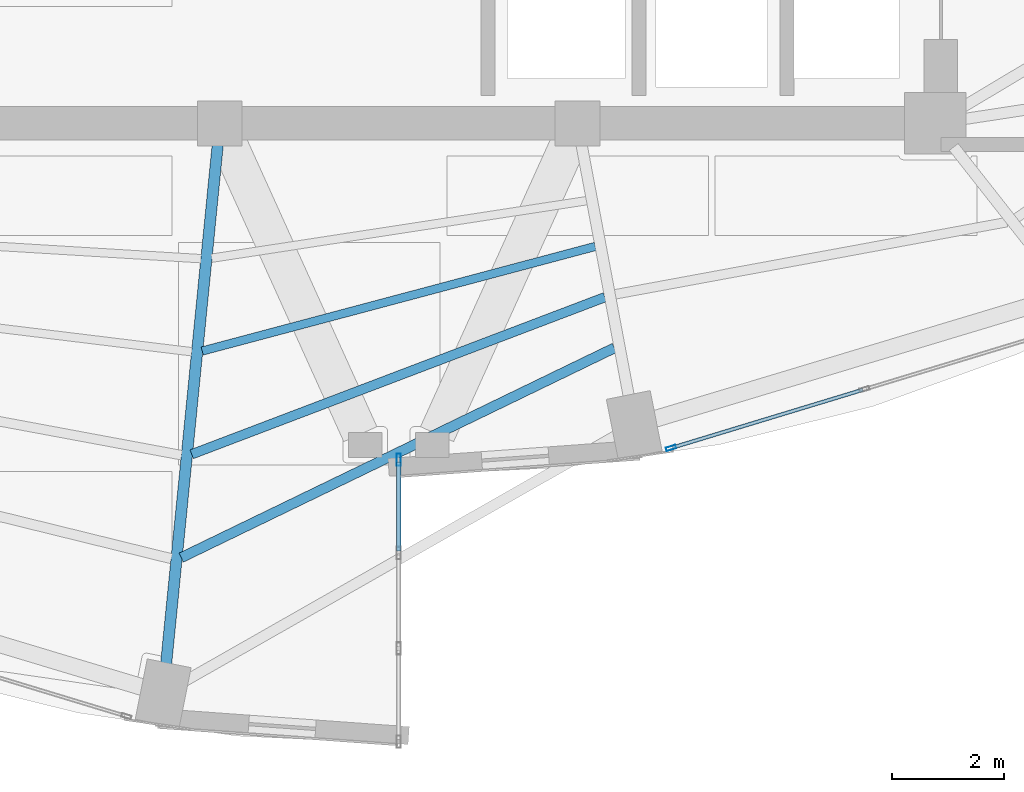
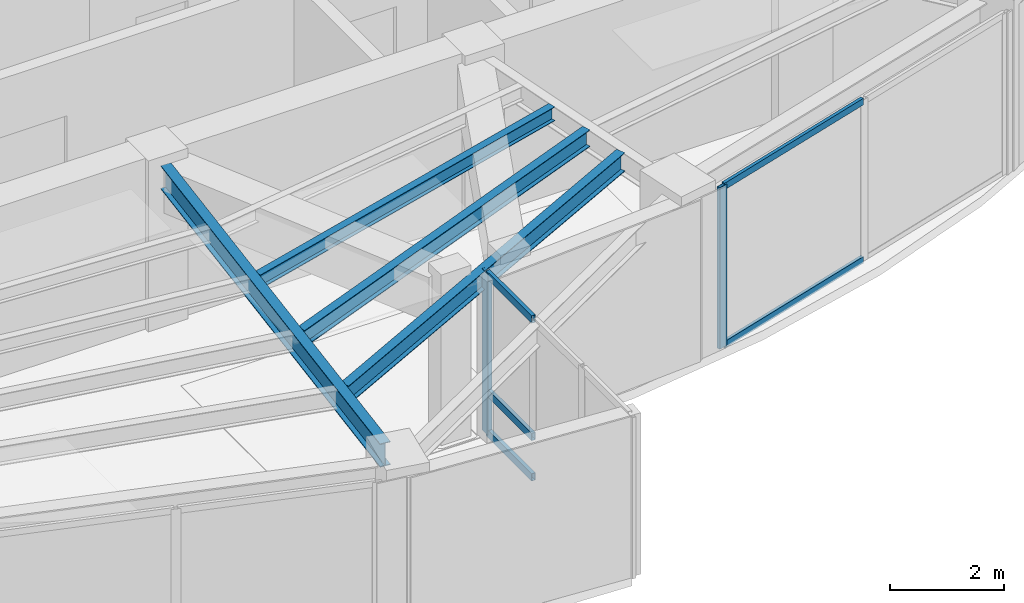
# One storey, part 6 of 23: 7 members, 4 beams, 2 elements without a shape of their own.
"""IFC4 building model written with IfcOpenShell, lengths in metres."""

import ifcopenshell
import ifcopenshell.guid

model = None  # the IFC model being written
_history = None  # IfcOwnerHistory: only IFC2X3 demands one
_inside = {}  # id of a spatial element -> (the spatial element, [elements in it])
_under = {}  # id of a project, library or spatial element -> (it, [spatial elements below it])
_declared = {}  # id of a project -> (the project, [libraries it declares])
_typed = {}  # id of a type object -> (the type object, [elements of that type])
_made_of = {}  # id of a material, layer set ... -> (it, [elements and type objects made of it])


def new_model(schema):
    """Start an empty IFC model of exactly this schema.

    Asked for "IFC4X3", IfcOpenShell would pick the latest addendum, in which some entities
    have other attributes; the version numbers below select the first issue.
    IFC2X3 requires an IfcOwnerHistory on every rooted entity: one is made here for all.
    """
    global model, _history
    if schema == "IFC4X3":
        model = ifcopenshell.file(schema_version=(4, 3, 0, 0))
    else:
        model = ifcopenshell.file(schema=schema)
    _inside.clear()
    _under.clear()
    _declared.clear()
    _typed.clear()
    _made_of.clear()
    _history = None
    if model.schema == "IFC2X3":
        org = make("IfcOrganization", Name="unknown")
        user = make(
            "IfcPersonAndOrganization",
            ThePerson=make("IfcPerson", FamilyName="unknown"),
            TheOrganization=org,
        )
        app = make(
            "IfcApplication",
            ApplicationDeveloper=org,
            Version="unknown",
            ApplicationFullName="unknown",
            ApplicationIdentifier="unknown",
        )
        _history = make(
            "IfcOwnerHistory",
            OwningUser=user,
            OwningApplication=app,
            ChangeAction="ADDED",
            CreationDate=0,
        )
    return model


def make(cls, **values):
    """One entity of the class cls with the attributes given. An attribute that is None is left unset."""
    return model.create_entity(
        cls, **{name: value for name, value in values.items() if value is not None}
    )


def rooted(cls, **values):
    """An entity with a GlobalId (a new one), such as an element, a storey or a relation."""
    return make(cls, GlobalId=ifcopenshell.guid.new(), OwnerHistory=_history, **values)


def si_unit(unit_type, name, prefix=None):
    """IfcSIUnit, for example si_unit("LENGTHUNIT", "METRE", prefix="MILLI")."""
    return make("IfcSIUnit", UnitType=unit_type, Prefix=prefix, Name=name)


def assignment(units):
    """IfcUnitAssignment: the units of a project."""
    return None if units is None else make("IfcUnitAssignment", Units=units)


def point(xyz):
    """IfcCartesianPoint."""
    return None if xyz is None else make("IfcCartesianPoint", Coordinates=xyz)


def direction(xyz):
    """IfcDirection."""
    return None if xyz is None else make("IfcDirection", DirectionRatios=xyz)


def frame(location, z_axis=None, x_axis=None):
    """IfcAxis2Placement3D, a coordinate frame: its origin and axes. An axis left out is left unset."""
    return make(
        "IfcAxis2Placement3D",
        Location=point(location),
        Axis=direction(z_axis),
        RefDirection=direction(x_axis),
    )


def frame_2d(location, x_axis=None):
    """IfcAxis2Placement2D, a coordinate frame in the plane: its origin and x axis."""
    return make(
        "IfcAxis2Placement2D", Location=point(location), RefDirection=direction(x_axis)
    )


def origin():
    """The frame at (0, 0, 0) with its axes left unset."""
    return frame((0.0, 0.0, 0.0))


def origin_2d():
    """The frame at (0, 0) in the plane with its x axis left unset."""
    return frame_2d((0.0, 0.0))


def place(relative_to, where):
    """IfcLocalPlacement: puts the frame where relative to a parent placement (None: the world)."""
    return make(
        "IfcLocalPlacement", PlacementRelTo=relative_to, RelativePlacement=where
    )


def context(
    kind, dimensions, precision=None, world=None, true_north=None, identifier=None
):
    """IfcGeometricRepresentationContext, for example the 3D "Model" context."""
    return make(
        "IfcGeometricRepresentationContext",
        ContextIdentifier=identifier,
        ContextType=kind,
        CoordinateSpaceDimension=dimensions,
        Precision=precision,
        WorldCoordinateSystem=world,
        TrueNorth=true_north,
    )


def subcontext(parent, identifier, kind, view, scale=None):
    """IfcGeometricRepresentationSubContext, for example "Body" below "Model"."""
    return make(
        "IfcGeometricRepresentationSubContext",
        ContextIdentifier=identifier,
        ContextType=kind,
        ParentContext=parent,
        TargetScale=scale,
        TargetView=view,
    )


def project(units=None, contexts=None):
    """IfcProject with its units and contexts."""
    return rooted(
        "IfcProject",
        Name="project",
        RepresentationContexts=contexts,
        UnitsInContext=assignment(units),
    )


def spatial(cls, under=None, at=None, **own):
    """A site, building, storey or space (cls), placed at a placement, below another one or the project."""
    s = rooted(cls, ObjectPlacement=at, **own)
    if under is not None:
        _under.setdefault(under.id(), (under, []))[1].append(s)
    return s


def profile(cls, at=None, kind="AREA", **sizes):
    """A parametric profile (cls). Its sizes go by their IFC names, for example OverallWidth=200.0."""
    return make(cls, ProfileType=kind, Position=at, **sizes)


def hollow_rectangle(**sizes):
    """IfcRectangleHollowProfileDef."""
    return profile("IfcRectangleHollowProfileDef", **sizes)


def i_section(**sizes):
    """IfcIShapeProfileDef."""
    return profile("IfcIShapeProfileDef", **sizes)


def extrude(swept, where, along, depth):
    """IfcExtrudedAreaSolid: the profile swept, set in the frame where, extruded along a direction by depth."""
    return make(
        "IfcExtrudedAreaSolid",
        SweptArea=swept,
        Position=where,
        ExtrudedDirection=direction(along),
        Depth=depth,
    )


def shape(context_of_items, identifier, shape_type, items):
    """IfcShapeRepresentation: the items that make up one representation, for example the "Body"."""
    return make(
        "IfcShapeRepresentation",
        ContextOfItems=context_of_items,
        RepresentationIdentifier=identifier,
        RepresentationType=shape_type,
        Items=items,
    )


def material(Name=None, Category=None):
    """IfcMaterial."""
    return make("IfcMaterial", Name=Name, Category=Category)


def layer(
    of_material, thickness, ventilated=None, Name=None, Category=None, Priority=None
):
    """IfcMaterialLayer: one layer of a wall or slab, of a material (None: an air gap)."""
    return make(
        "IfcMaterialLayer",
        Material=of_material,
        LayerThickness=thickness,
        IsVentilated=ventilated,
        Name=Name,
        Category=Category,
        Priority=Priority,
    )


def layer_set(layers, Name=None):
    """IfcMaterialLayerSet."""
    return make("IfcMaterialLayerSet", MaterialLayers=layers, LayerSetName=Name)


def material_profile(
    of_material, cross_section, Name=None, Category=None, Priority=None
):
    """IfcMaterialProfile: a cross section and its material."""
    return make(
        "IfcMaterialProfile",
        Name=Name,
        Material=of_material,
        Profile=cross_section,
        Priority=Priority,
        Category=Category,
    )


def profile_set(profiles, Name=None, composite=None):
    """IfcMaterialProfileSet."""
    return make(
        "IfcMaterialProfileSet",
        Name=Name,
        MaterialProfiles=profiles,
        CompositeProfile=composite,
    )


def made_of(thing, what):
    """Note that an element or type object is made of a material, layer set ...; save() writes the relation."""
    if what is not None:
        _made_of.setdefault(what.id(), (what, []))[1].append(thing)
    return thing


def type_object(cls, material=None, **own):
    """A type object (cls), such as IfcWallType, which elements share."""
    return made_of(rooted(cls, **own), material)


def element(
    cls,
    number,
    at=None,
    inside=None,
    cuts=None,
    type_object=None,
    material=None,
    context=None,
    identifier="Body",
    shape_type=None,
    held_by="IfcProductDefinitionShape",
    body=None,
    shapes=None,
    **own,
):
    """One element of the class cls, such as IfcWall. Its Tag is "e" and its number.

    at: its placement. inside: the storey or other place that contains it. cuts: it is an
    opening in that element (IfcRelVoidsElement). A single representation is given by context,
    identifier, shape_type and body (its items); several are given by shapes. held_by: the class
    of the entity that holds the representations. save() writes the other relations.
    """
    e = rooted(cls, Tag="e%d" % number, ObjectPlacement=at, **own)
    if body is not None:
        shapes = [shape(context, identifier, shape_type, body)]
    if shapes is not None:
        e.Representation = make(held_by, Representations=shapes)
    if inside is not None:
        _inside.setdefault(inside.id(), (inside, []))[1].append(e)
    if cuts is not None:
        rooted(
            "IfcRelVoidsElement", RelatingBuildingElement=cuts, RelatedOpeningElement=e
        )
    if type_object is not None:
        _typed.setdefault(type_object.id(), (type_object, []))[1].append(e)
    return made_of(e, material)


def aggregate(whole, parts):
    """IfcRelAggregates: a whole, such as a stair, and the parts it consists of."""
    return rooted("IfcRelAggregates", RelatingObject=whole, RelatedObjects=parts)


def save(model, path):
    """Write the relations noted so far, then the file.

    IfcRelAggregates (storeys below a building ...), IfcRelContainedInSpatialStructure (elements
    in a storey), IfcRelDefinesByType, IfcRelAssociatesMaterial and IfcRelDeclares: one each for
    every whole, place, type object, material and project.
    """
    for whole, parts in _under.values():
        aggregate(whole, parts)
    for where, things in _inside.values():
        rooted(
            "IfcRelContainedInSpatialStructure",
            RelatedElements=things,
            RelatingStructure=where,
        )
    for kind, things in _typed.values():
        rooted("IfcRelDefinesByType", RelatedObjects=things, RelatingType=kind)
    for what, things in _made_of.values():
        rooted("IfcRelAssociatesMaterial", RelatedObjects=things, RelatingMaterial=what)
    for by, libraries in _declared.values():
        rooted("IfcRelDeclares", RelatingContext=by, RelatedDefinitions=libraries)
    model.write(path)


model = new_model("IFC4")

# Units and contexts
model_context = context("Model", 3, precision=1e-05, world=origin(), true_north=direction((0.0, 1.0)))
body_context = subcontext(model_context, "Body", "Model", "MODEL_VIEW")
ifc_project = project(units=[si_unit("LENGTHUNIT", "METRE"), si_unit("AREAUNIT", "SQUARE_METRE"), si_unit("VOLUMEUNIT", "CUBIC_METRE"), si_unit("PLANEANGLEUNIT", "RADIAN"), si_unit("MASSUNIT", "GRAM", prefix="KILO")], contexts=[model_context])

# Site, building, storey
site_placement = place(None, origin())
site = spatial("IfcSite", under=ifc_project, at=site_placement, CompositionType="ELEMENT")
building_placement = place(site_placement, origin())
building = spatial("IfcBuilding", under=site, at=building_placement, Name="Lazwardi Medical Tower", CompositionType="ELEMENT")
storey_placement = place(building_placement, frame((0.0, 0.0, 205.77587890625)))
storey = spatial("IfcBuildingStorey", under=building, at=storey_placement, Name="L53", CompositionType="ELEMENT", Elevation=205.77587890625)

# Beams
ifc_material_1 = material(Name="Steel S355", Category="steel")
ifc_material_profile_1 = material_profile(ifc_material_1, i_section(OverallWidth=0.199951171875, OverallDepth=0.5, WebThickness=0.01025390625, FlangeThickness=0.01611328125, at=origin_2d()), Name="IPE 500")
ifc_profile_set_1 = profile_set([ifc_material_profile_1], Name="Steel S355")
beam_type_1 = type_object("IfcBeamType", Name="BM-RG-W3", PredefinedType="BEAM", material=ifc_profile_set_1)
beam_1_placement = place(storey_placement, frame((31.8388671875, 10.734130859375, 3.1982421875), z_axis=(0.098954361922, 0.995091972763, 0.0), x_axis=(-0.995091972763, 0.098954361922, 0.0)))
element("IfcBeam", 1, at=beam_1_placement, inside=storey, type_object=beam_type_1, Name="Radial girder RG-04 R16 L53", PredefinedType="BEAM", context=body_context, shape_type="SweptSolid", body=[
    extrude(i_section(OverallWidth=0.199951171875, OverallDepth=0.5, WebThickness=0.01025390625, FlangeThickness=0.01611328125, at=origin_2d()), origin(), (0.0, 0.0, 1.0), 9.32861328125),
])
ifc_material_profile_2 = material_profile(ifc_material_1, i_section(OverallWidth=0.179931640625, OverallDepth=0.39990234375, WebThickness=0.008544921875, FlangeThickness=0.013427734375, at=origin_2d()), Name="IPE 400")
ifc_profile_set_2 = profile_set([ifc_material_profile_2], Name="Steel S355")
beam_type_2 = type_object("IfcBeamType", Name="BM-SJ-01", PredefinedType="JOIST", material=ifc_profile_set_2)
beam_2_placement = place(storey_placement, frame((32.10888671875, 12.632080078125, 3.248046875), z_axis=(0.900068885459, 0.435747635024, 0.0), x_axis=(-0.435747635024, 0.900068885459, 0.0)))
element("IfcBeam", 2, at=beam_2_placement, inside=storey, type_object=beam_type_2, Name="Secondary joist SJ-01 R1 B16 L53", PredefinedType="JOIST", context=body_context, shape_type="SweptSolid", body=[
    extrude(i_section(OverallWidth=0.179931640625, OverallDepth=0.39990234375, WebThickness=0.008544921875, FlangeThickness=0.013427734375, at=origin_2d()), origin(), (0.0, 0.0, 1.0), 8.612548828125),
])
ifc_material_profile_3 = material_profile(ifc_material_1, i_section(OverallWidth=0.169921875, OverallDepth=0.360107421875, WebThickness=0.008056640625, FlangeThickness=0.0126953125, at=origin_2d()), Name="IPE 360")
ifc_profile_set_3 = profile_set([ifc_material_profile_3], Name="Steel S355")
beam_type_3 = type_object("IfcBeamType", Name="BM-SJ-02", PredefinedType="JOIST", material=ifc_profile_set_3)
beam_3_placement = place(storey_placement, frame((32.296875, 14.48095703125, 3.26806640625), z_axis=(0.934714470268, 0.355399576633, 0.0), x_axis=(-0.355399576633, 0.934714470268, 0.0)))
element("IfcBeam", 3, at=beam_3_placement, inside=storey, type_object=beam_type_3, Name="Secondary joist SJ-02 R2 B16 L53", PredefinedType="JOIST", context=body_context, shape_type="SweptSolid", body=[
    extrude(i_section(OverallWidth=0.169921875, OverallDepth=0.360107421875, WebThickness=0.008056640625, FlangeThickness=0.0126953125, at=origin_2d()), origin(), (0.0, 0.0, 1.0), 7.908203125),
])
ifc_material_profile_4 = material_profile(ifc_material_1, i_section(OverallWidth=0.14990234375, OverallDepth=0.300048828125, WebThickness=0.007080078125, FlangeThickness=0.0107421875, at=origin_2d()), Name="IPE 300")
ifc_profile_set_4 = profile_set([ifc_material_profile_4], Name="Steel S355")
beam_type_4 = type_object("IfcBeamType", Name="BM-SJ-03", PredefinedType="JOIST", material=ifc_profile_set_4)
beam_4_placement = place(storey_placement, frame((32.484619140625, 16.328125, 3.298095703125), z_axis=(0.966369007826, 0.257159368316, 0.0), x_axis=(-0.257159368316, 0.966369007826, 0.0)))
element("IfcBeam", 4, at=beam_4_placement, inside=storey, type_object=beam_type_4, Name="Secondary joist SJ-03 R3 B16 L53", PredefinedType="JOIST", context=body_context, shape_type="SweptSolid", body=[
    extrude(i_section(OverallWidth=0.14990234375, OverallDepth=0.300048828125, WebThickness=0.007080078125, FlangeThickness=0.0107421875, at=origin_2d()), origin(), (0.0, 0.0, 1.0), 7.27685546875),
])

# Curtain wall, member
ifc_material_2 = material(Name="Anodised bronze aluminium and solar control glazing", Category="aluminium")
ifc_layer_1 = layer(ifc_material_2, 0.2099609375)
ifc_layer_set_1 = layer_set([ifc_layer_1], Name="Anodised bronze aluminium and solar control glazing")
curtain_wall_type_1 = type_object("IfcCurtainWallType", Name="CW-SYS-06", PredefinedType="NOTDEFINED", material=ifc_layer_set_1)
curtain_wall_1_placement = place(storey_placement, origin())
curtain_wall_1 = element("IfcCurtainWall", 5, at=curtain_wall_1_placement, inside=storey, type_object=curtain_wall_type_1, Name="L53 Unitised bronze curtain wall CW-06", PredefinedType="NOTDEFINED")
ifc_material_3 = material(Name="Anodised bronze aluminium", Category="aluminium")
ifc_material_profile_5 = material_profile(ifc_material_3, hollow_rectangle(XDim=0.074951171875, YDim=0.219970703125, WallThickness=0.00390625, at=origin_2d()), Name="ALU-MULLION 220x75x4")
ifc_profile_set_5 = profile_set([ifc_material_profile_5], Name="Anodised bronze aluminium")
member_type_1 = type_object("IfcMemberType", Name="CW-MUL-01", PredefinedType="MULLION", material=ifc_profile_set_5)
member_1_placement = place(storey_placement, frame((36.0, 14.382568359375, 0.0), z_axis=(0.0, 0.0, 1.0), x_axis=(-1.0, 0.0, 0.0)))
member_1 = element("IfcMember", 6, at=member_1_placement, type_object=member_type_1, Name="CW-06 mullion 4", PredefinedType="MULLION", context=body_context, shape_type="SweptSolid", body=[
    extrude(hollow_rectangle(XDim=0.074951171875, YDim=0.219970703125, WallThickness=0.00390625, at=origin_2d()), origin(), (0.0, 0.0, 1.0), 3.4482421875),
])

ifc_layer_2 = layer(ifc_material_2, 0.18994140625)
ifc_layer_set_2 = layer_set([ifc_layer_2], Name="Anodised bronze aluminium and solar control glazing")
curtain_wall_type_2 = type_object("IfcCurtainWallType", Name="CW-SYS-04", PredefinedType="NOTDEFINED", material=ifc_layer_set_2)
curtain_wall_2_placement = place(storey_placement, origin())
curtain_wall_2 = element("IfcCurtainWall", 7, at=curtain_wall_2_placement, inside=storey, type_object=curtain_wall_type_2, Name="L53 Unitised bronze curtain wall CW-04", PredefinedType="NOTDEFINED")
ifc_material_profile_6 = material_profile(ifc_material_3, hollow_rectangle(XDim=0.06494140625, YDim=0.179931640625, WallThickness=0.00390625, at=origin_2d()), Name="ALU-MULLION 180x65x4")
ifc_profile_set_6 = profile_set([ifc_material_profile_6], Name="Anodised bronze aluminium")
member_type_2 = type_object("IfcMemberType", Name="CW-MUL-03", PredefinedType="MULLION", material=ifc_profile_set_6)
member_2_placement = place(storey_placement, frame((40.873046875, 14.593017578125, 0.0), z_axis=(0.0, 0.0, 1.0), x_axis=(-0.290581889515, 0.956850126972, 0.0)))
member_2 = element("IfcMember", 8, at=member_2_placement, type_object=member_type_2, Name="CW-04 mullion 1", PredefinedType="MULLION", context=body_context, shape_type="SweptSolid", body=[
    extrude(hollow_rectangle(XDim=0.06494140625, YDim=0.179931640625, WallThickness=0.00390625, at=origin_2d()), origin(), (0.0, 0.0, 1.0), 3.4482421875),
])

# Member
ifc_material_profile_7 = material_profile(ifc_material_3, hollow_rectangle(XDim=0.074951171875, YDim=0.159912109375, WallThickness=0.00390625, at=origin_2d()), Name="ALU-TRANSOM 160x75x4")
ifc_profile_set_7 = profile_set([ifc_material_profile_7], Name="Anodised bronze aluminium")
member_type_3 = type_object("IfcMemberType", Name="CW-TRN-01", PredefinedType="USERDEFINED", material=ifc_profile_set_7)
member_3_placement = place(storey_placement, frame((36.0, 12.750732421875, 0.03759765625), z_axis=(0.0, 1.0, 0.0), x_axis=(-1.0, 0.0, 0.0)))
member_3 = element("IfcMember", 9, at=member_3_placement, type_object=member_type_3, Name="CW-06 transom 3.1", ObjectType="TRANSOM", PredefinedType="USERDEFINED", context=body_context, shape_type="SweptSolid", body=[
    extrude(hollow_rectangle(XDim=0.074951171875, YDim=0.159912109375, WallThickness=0.00390625, at=origin_2d()), origin(), (0.0, 0.0, 1.0), 1.59423828125),
])

member_4_placement = place(storey_placement, frame((36.0, 12.750732421875, 0.900146484375), z_axis=(0.0, 1.0, 0.0), x_axis=(-1.0, 0.0, 0.0)))
member_4 = element("IfcMember", 10, at=member_4_placement, type_object=member_type_3, Name="CW-06 transom 3.2", ObjectType="TRANSOM", PredefinedType="USERDEFINED", context=body_context, shape_type="SweptSolid", body=[
    extrude(hollow_rectangle(XDim=0.074951171875, YDim=0.159912109375, WallThickness=0.00390625, at=origin_2d()), origin(), (0.0, 0.0, 1.0), 1.59423828125),
])

member_5_placement = place(storey_placement, frame((36.0, 12.750732421875, 3.41064453125), z_axis=(0.0, 1.0, 0.0), x_axis=(-1.0, 0.0, 0.0)))
member_5 = element("IfcMember", 11, at=member_5_placement, type_object=member_type_3, Name="CW-06 transom 3.3", ObjectType="TRANSOM", PredefinedType="USERDEFINED", context=body_context, shape_type="SweptSolid", body=[
    extrude(hollow_rectangle(XDim=0.074951171875, YDim=0.159912109375, WallThickness=0.00390625, at=origin_2d()), origin(), (0.0, 0.0, 1.0), 1.59423828125),
])

aggregate(curtain_wall_1, [member_1, member_3, member_4, member_5])

ifc_material_profile_8 = material_profile(ifc_material_3, hollow_rectangle(XDim=0.06494140625, YDim=0.139892578125, WallThickness=0.00341796875, at=origin_2d()), Name="ALU-TRANSOM 140x65x3.5")
ifc_profile_set_8 = profile_set([ifc_material_profile_8], Name="Anodised bronze aluminium")
member_type_4 = type_object("IfcMemberType", Name="CW-TRN-03", PredefinedType="USERDEFINED", material=ifc_profile_set_8)
member_6_placement = place(storey_placement, frame((40.904296875, 14.602294921875, 0.03271484375), z_axis=(0.956843409009, 0.290604010015, 0.0), x_axis=(-0.290604010015, 0.956843409009, 0.0)))
member_6 = element("IfcMember", 12, at=member_6_placement, type_object=member_type_4, Name="CW-04 transom 1.1", ObjectType="TRANSOM", PredefinedType="USERDEFINED", context=body_context, shape_type="SweptSolid", body=[
    extrude(hollow_rectangle(XDim=0.06494140625, YDim=0.139892578125, WallThickness=0.00341796875, at=origin_2d()), origin(), (0.0, 0.0, 1.0), 3.554443359375),
])

member_7_placement = place(storey_placement, frame((40.904296875, 14.602294921875, 3.41552734375), z_axis=(0.956843409009, 0.290604010015, 0.0), x_axis=(-0.290604010015, 0.956843409009, 0.0)))
member_7 = element("IfcMember", 13, at=member_7_placement, type_object=member_type_4, Name="CW-04 transom 1.2", ObjectType="TRANSOM", PredefinedType="USERDEFINED", context=body_context, shape_type="SweptSolid", body=[
    extrude(hollow_rectangle(XDim=0.06494140625, YDim=0.139892578125, WallThickness=0.00341796875, at=origin_2d()), origin(), (0.0, 0.0, 1.0), 3.554443359375),
])

aggregate(curtain_wall_2, [member_2, member_6, member_7])

save(model, "model.ifc")
